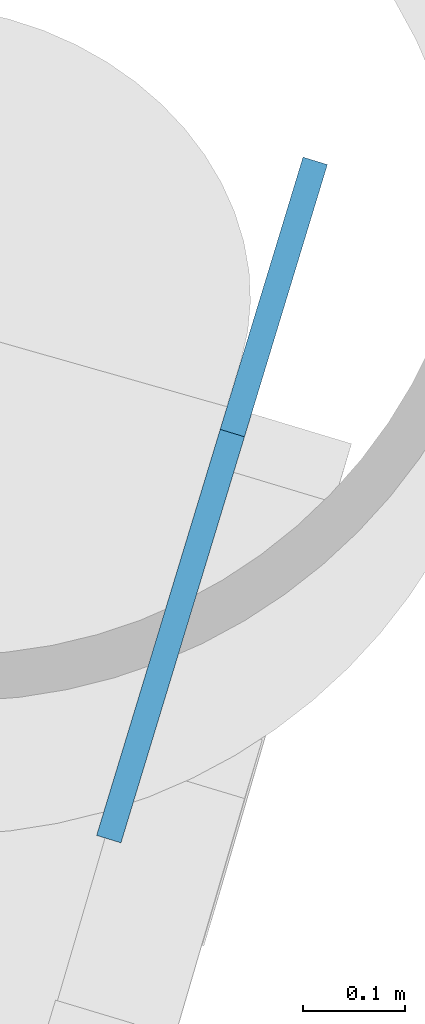
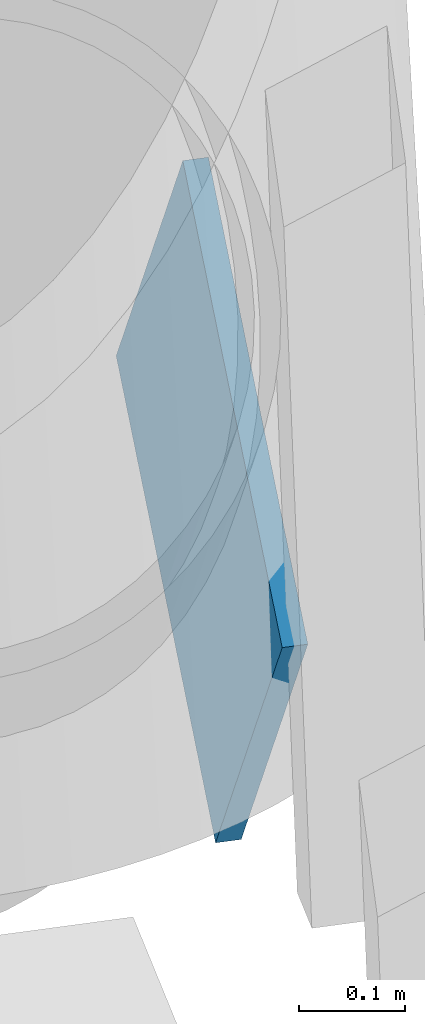
# One storey, part 13 of 22: 1 discrete accessory.
"""IFC4 building model written with IfcOpenShell, lengths in metres."""

from ifc_helpers import new_model, si_unit, direction, frame, origin, origin_2d, place, context, subcontext, project, spatial, rectangle, extrude, material, material_profile, profile_set, type_object, element, save


model = new_model("IFC4")

# Units and contexts
model_context = context("Model", 3, precision=1e-05, world=origin(), true_north=direction((0.0, 1.0)))
body_context = subcontext(model_context, "Body", "Model", "MODEL_VIEW")
ifc_project = project(units=[si_unit("LENGTHUNIT", "METRE"), si_unit("AREAUNIT", "SQUARE_METRE"), si_unit("VOLUMEUNIT", "CUBIC_METRE"), si_unit("PLANEANGLEUNIT", "RADIAN"), si_unit("MASSUNIT", "GRAM", prefix="KILO")], contexts=[model_context])

# Site, building, storey
site_placement = place(None, origin())
site = spatial("IfcSite", under=ifc_project, at=site_placement, CompositionType="ELEMENT")
building_placement = place(site_placement, origin())
building = spatial("IfcBuilding", under=site, at=building_placement, Name="Tarsis Ring Headquarters", CompositionType="ELEMENT")
storey_placement = place(building_placement, frame((0.0, 0.0, 147.60009765625)))
storey = spatial("IfcBuildingStorey", under=building, at=storey_placement, Name="L33", CompositionType="ELEMENT", Elevation=147.60009765625)

# Discrete accessory
ifc_material = material(Name="Structural steel S355", Category="steel")
ifc_material_profile = material_profile(ifc_material, rectangle(XDim=0.02490234375, YDim=0.5, at=origin_2d()), Name="PL 25x500")
ifc_profile_set = profile_set([ifc_material_profile], Name="Structural steel S355")
discrete_accessory_type = type_object("IfcDiscreteAccessoryType", Name="Gusset plate Exo brace 25", PredefinedType="BRACKET", material=ifc_profile_set)
discrete_accessory_placement = place(storey_placement, frame((29.25830078125, -2.42333984375, 0.0), z_axis=(-0.16218284037, -0.532956261577, 0.830454303099), x_axis=(0.95668449954, -0.291126722133, 0.0)))
element("IfcDiscreteAccessory", 1, at=discrete_accessory_placement, inside=storey, type_object=discrete_accessory_type, Name="Gusset plate GP5", PredefinedType="BRACKET", context=body_context, shape_type="SweptSolid", body=[
    extrude(rectangle(XDim=0.02490234375, YDim=0.5, at=origin_2d()), origin(), (0.0, 0.0, 1.0), 0.499755859375),
])

save(model, "model.ifc")
